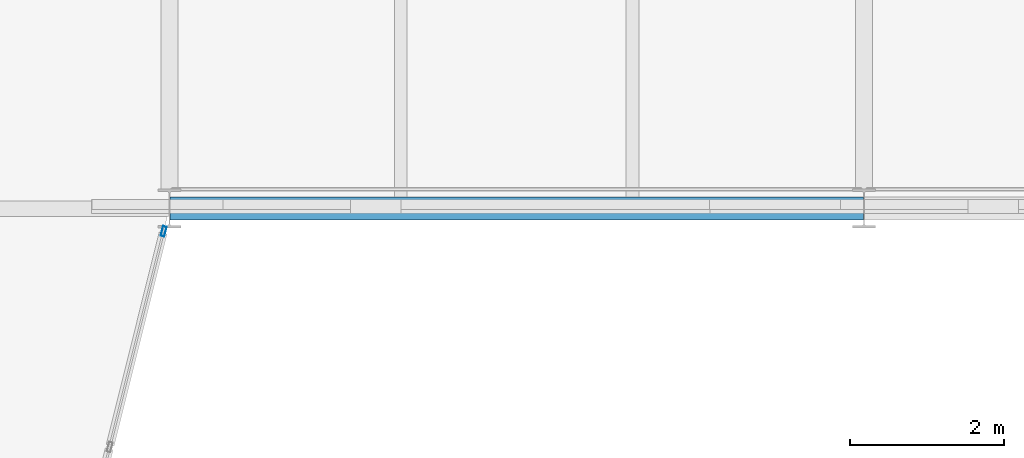
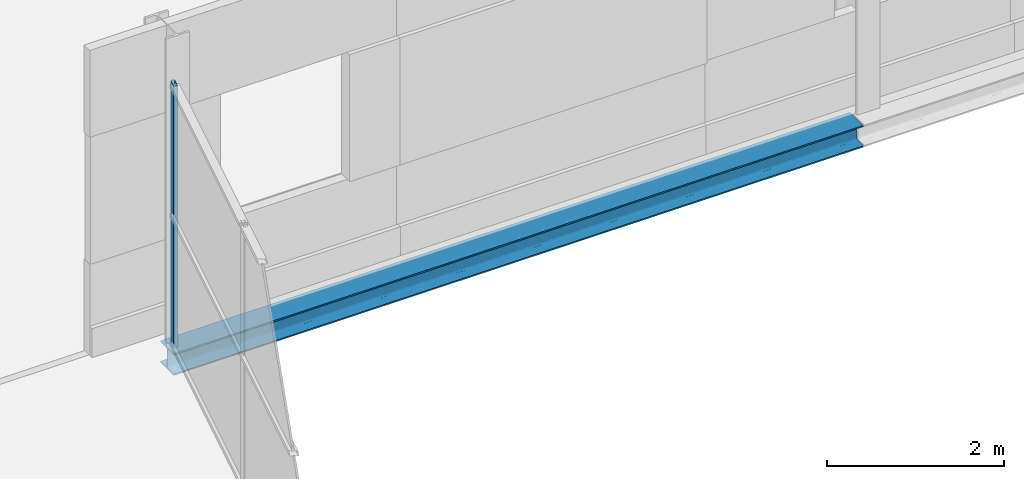
# One storey, part 70 of 135: 1 beam, 1 member, 1 element without a shape of its own.
"""IFC4 building model written with IfcOpenShell, lengths in metres."""

from ifc_helpers import new_model, si_unit, direction, frame, origin, origin_2d, place, context, subcontext, project, spatial, hollow_rectangle, i_section, extrude, material, layer, layer_set, material_profile, profile_set, type_object, element, aggregate, save


model = new_model("IFC4")

# Units and contexts
model_context = context("Model", 3, precision=1e-05, world=origin(), true_north=direction((0.0, 1.0)))
body_context = subcontext(model_context, "Body", "Model", "MODEL_VIEW")
ifc_project = project(units=[si_unit("LENGTHUNIT", "METRE"), si_unit("AREAUNIT", "SQUARE_METRE"), si_unit("VOLUMEUNIT", "CUBIC_METRE"), si_unit("PLANEANGLEUNIT", "RADIAN"), si_unit("MASSUNIT", "GRAM", prefix="KILO")], contexts=[model_context])

# Site, building, storey
site_placement = place(None, origin())
site = spatial("IfcSite", under=ifc_project, at=site_placement, CompositionType="ELEMENT")
building_placement = place(site_placement, origin())
building = spatial("IfcBuilding", under=site, at=building_placement, Name="Deido Ridge Mobility Hub", CompositionType="ELEMENT")
storey_placement = place(building_placement, frame((0.0, 0.0, 4.199951171875)))
storey = spatial("IfcBuildingStorey", under=building, at=storey_placement, Name="L01", CompositionType="ELEMENT", Elevation=4.199951171875)

# Curtain wall, member
ifc_material_1 = material(Name="Anodised aluminium EN AW-6063 T6", Category="aluminium")
ifc_layer = layer(ifc_material_1, 0.27001953125, Name="Anodised aluminium EN AW-6063 T6")
ifc_layer_set = layer_set([ifc_layer], Name="Anodised aluminium EN AW-6063 T6")
curtain_wall_type = type_object("IfcCurtainWallType", Name="CW-UF-8", PredefinedType="USERDEFINED", material=ifc_layer_set)
curtain_wall_placement = place(storey_placement, origin())
curtain_wall = element("IfcCurtainWall", 1, at=curtain_wall_placement, inside=storey, type_object=curtain_wall_type, Name="Unitised curtain wall CW8", ObjectType="UNITISED FACADE", PredefinedType="USERDEFINED")
ifc_material_profile_1 = material_profile(ifc_material_1, hollow_rectangle(XDim=0.050048828125, YDim=0.1298828125, WallThickness=0.00390625, at=origin_2d()), Name="RHS 50x130x4")
ifc_profile_set_1 = profile_set([ifc_material_profile_1], Name="Anodised aluminium EN AW-6063 T6")
member_type = type_object("IfcMemberType", Name="MEM-MUL-50X130", PredefinedType="MULLION", material=ifc_profile_set_1)
member_placement = place(storey_placement, frame((53.92626953125, 80.705078125, 0.0), z_axis=(0.0, 0.0, 1.0), x_axis=(-0.970139801497, 0.242546419373, 0.0)))
member = element("IfcMember", 2, at=member_placement, type_object=member_type, Name="CW8 mullion 4", PredefinedType="MULLION", context=body_context, shape_type="SweptSolid", body=[
    extrude(hollow_rectangle(XDim=0.050048828125, YDim=0.1298828125, WallThickness=0.00390625, at=origin_2d()), origin(), (0.0, 0.0, 1.0), 3.60009765625),
])
aggregate(curtain_wall, [member])

# Beam
ifc_material_2 = material(Name="Steel S355J2 EN 10025-2", Category="steel")
ifc_material_profile_2 = material_profile(ifc_material_2, i_section(OverallWidth=0.300048828125, OverallDepth=0.300048828125, WebThickness=0.010986328125, FlangeThickness=0.01904296875, FilletRadius=0.027099609375, at=origin_2d()), Name="HEB 300")
ifc_profile_set_2 = profile_set([ifc_material_profile_2], Name="Steel S355J2 EN 10025-2")
beam_type = type_object("IfcBeamType", Name="SPD-HEB300", PredefinedType="SPANDREL", material=ifc_profile_set_2)
beam_placement = place(storey_placement, frame((54.007080078125, 81.0, -0.39990234375), z_axis=(1.0, 0.0, 0.0), x_axis=(0.0, 1.0, 0.0)))
element("IfcBeam", 3, at=beam_placement, inside=storey, type_object=beam_type, Name="Floor beam SP1", PredefinedType="SPANDREL", context=body_context, shape_type="SweptSolid", body=[
    extrude(i_section(OverallWidth=0.300048828125, OverallDepth=0.300048828125, WebThickness=0.010986328125, FlangeThickness=0.01904296875, FilletRadius=0.027099609375, at=origin_2d()), origin(), (0.0, 0.0, 1.0), 8.98583984375),
])

save(model, "model.ifc")
